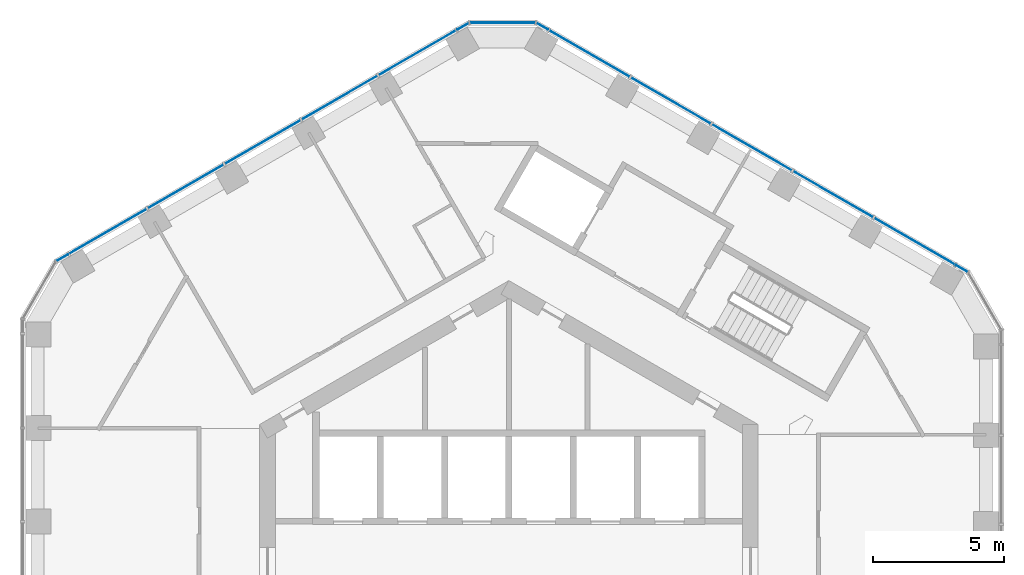
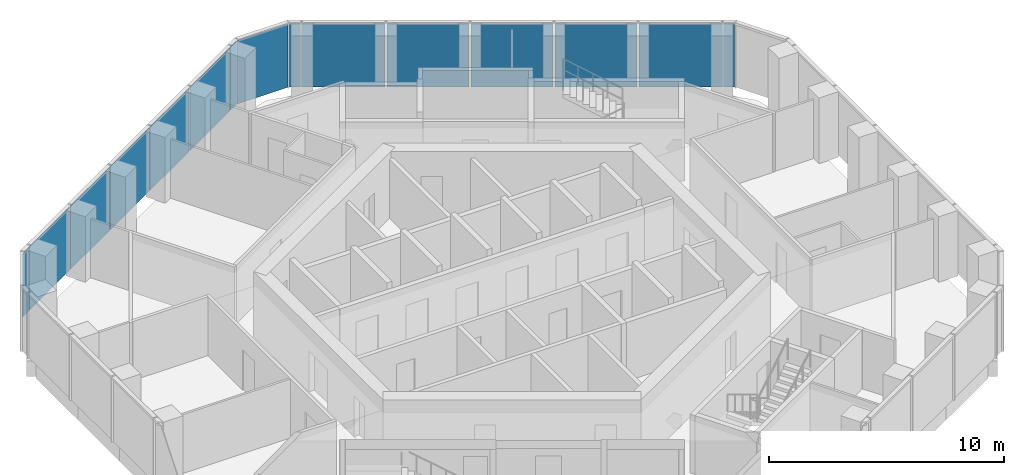
# One storey, part 13 of 18: 15 plates, 5 elements without a shape of their own.
"""IFC4 building model written with IfcOpenShell, lengths in metres."""

import ifcopenshell
import ifcopenshell.guid

model = None  # the IFC model being written
_history = None  # IfcOwnerHistory: only IFC2X3 demands one
_inside = {}  # id of a spatial element -> (the spatial element, [elements in it])
_under = {}  # id of a project, library or spatial element -> (it, [spatial elements below it])
_declared = {}  # id of a project -> (the project, [libraries it declares])
_typed = {}  # id of a type object -> (the type object, [elements of that type])
_made_of = {}  # id of a material, layer set ... -> (it, [elements and type objects made of it])


def new_model(schema):
    """Start an empty IFC model of exactly this schema.

    Asked for "IFC4X3", IfcOpenShell would pick the latest addendum, in which some entities
    have other attributes; the version numbers below select the first issue.
    IFC2X3 requires an IfcOwnerHistory on every rooted entity: one is made here for all.
    """
    global model, _history
    if schema == "IFC4X3":
        model = ifcopenshell.file(schema_version=(4, 3, 0, 0))
    else:
        model = ifcopenshell.file(schema=schema)
    _inside.clear()
    _under.clear()
    _declared.clear()
    _typed.clear()
    _made_of.clear()
    _history = None
    if model.schema == "IFC2X3":
        org = make("IfcOrganization", Name="unknown")
        user = make(
            "IfcPersonAndOrganization",
            ThePerson=make("IfcPerson", FamilyName="unknown"),
            TheOrganization=org,
        )
        app = make(
            "IfcApplication",
            ApplicationDeveloper=org,
            Version="unknown",
            ApplicationFullName="unknown",
            ApplicationIdentifier="unknown",
        )
        _history = make(
            "IfcOwnerHistory",
            OwningUser=user,
            OwningApplication=app,
            ChangeAction="ADDED",
            CreationDate=0,
        )
    return model


def make(cls, **values):
    """One entity of the class cls with the attributes given. An attribute that is None is left unset."""
    return model.create_entity(
        cls, **{name: value for name, value in values.items() if value is not None}
    )


def rooted(cls, **values):
    """An entity with a GlobalId (a new one), such as an element, a storey or a relation."""
    return make(cls, GlobalId=ifcopenshell.guid.new(), OwnerHistory=_history, **values)


def si_unit(unit_type, name, prefix=None):
    """IfcSIUnit, for example si_unit("LENGTHUNIT", "METRE", prefix="MILLI")."""
    return make("IfcSIUnit", UnitType=unit_type, Prefix=prefix, Name=name)


def assignment(units):
    """IfcUnitAssignment: the units of a project."""
    return None if units is None else make("IfcUnitAssignment", Units=units)


def point(xyz):
    """IfcCartesianPoint."""
    return None if xyz is None else make("IfcCartesianPoint", Coordinates=xyz)


def direction(xyz):
    """IfcDirection."""
    return None if xyz is None else make("IfcDirection", DirectionRatios=xyz)


def frame(location, z_axis=None, x_axis=None):
    """IfcAxis2Placement3D, a coordinate frame: its origin and axes. An axis left out is left unset."""
    return make(
        "IfcAxis2Placement3D",
        Location=point(location),
        Axis=direction(z_axis),
        RefDirection=direction(x_axis),
    )


def frame_2d(location, x_axis=None):
    """IfcAxis2Placement2D, a coordinate frame in the plane: its origin and x axis."""
    return make(
        "IfcAxis2Placement2D", Location=point(location), RefDirection=direction(x_axis)
    )


def origin():
    """The frame at (0, 0, 0) with its axes left unset."""
    return frame((0.0, 0.0, 0.0))


def origin_2d():
    """The frame at (0, 0) in the plane with its x axis left unset."""
    return frame_2d((0.0, 0.0))


def place(relative_to, where):
    """IfcLocalPlacement: puts the frame where relative to a parent placement (None: the world)."""
    return make(
        "IfcLocalPlacement", PlacementRelTo=relative_to, RelativePlacement=where
    )


def context(
    kind, dimensions, precision=None, world=None, true_north=None, identifier=None
):
    """IfcGeometricRepresentationContext, for example the 3D "Model" context."""
    return make(
        "IfcGeometricRepresentationContext",
        ContextIdentifier=identifier,
        ContextType=kind,
        CoordinateSpaceDimension=dimensions,
        Precision=precision,
        WorldCoordinateSystem=world,
        TrueNorth=true_north,
    )


def subcontext(parent, identifier, kind, view, scale=None):
    """IfcGeometricRepresentationSubContext, for example "Body" below "Model"."""
    return make(
        "IfcGeometricRepresentationSubContext",
        ContextIdentifier=identifier,
        ContextType=kind,
        ParentContext=parent,
        TargetScale=scale,
        TargetView=view,
    )


def project(units=None, contexts=None):
    """IfcProject with its units and contexts."""
    return rooted(
        "IfcProject",
        Name="project",
        RepresentationContexts=contexts,
        UnitsInContext=assignment(units),
    )


def spatial(cls, under=None, at=None, **own):
    """A site, building, storey or space (cls), placed at a placement, below another one or the project."""
    s = rooted(cls, ObjectPlacement=at, **own)
    if under is not None:
        _under.setdefault(under.id(), (under, []))[1].append(s)
    return s


def profile(cls, at=None, kind="AREA", **sizes):
    """A parametric profile (cls). Its sizes go by their IFC names, for example OverallWidth=200.0."""
    return make(cls, ProfileType=kind, Position=at, **sizes)


def rectangle(**sizes):
    """IfcRectangleProfileDef."""
    return profile("IfcRectangleProfileDef", **sizes)


def extrude(swept, where, along, depth):
    """IfcExtrudedAreaSolid: the profile swept, set in the frame where, extruded along a direction by depth."""
    return make(
        "IfcExtrudedAreaSolid",
        SweptArea=swept,
        Position=where,
        ExtrudedDirection=direction(along),
        Depth=depth,
    )


def shape(context_of_items, identifier, shape_type, items):
    """IfcShapeRepresentation: the items that make up one representation, for example the "Body"."""
    return make(
        "IfcShapeRepresentation",
        ContextOfItems=context_of_items,
        RepresentationIdentifier=identifier,
        RepresentationType=shape_type,
        Items=items,
    )


def material(Name=None, Category=None):
    """IfcMaterial."""
    return make("IfcMaterial", Name=Name, Category=Category)


def layer(
    of_material, thickness, ventilated=None, Name=None, Category=None, Priority=None
):
    """IfcMaterialLayer: one layer of a wall or slab, of a material (None: an air gap)."""
    return make(
        "IfcMaterialLayer",
        Material=of_material,
        LayerThickness=thickness,
        IsVentilated=ventilated,
        Name=Name,
        Category=Category,
        Priority=Priority,
    )


def layer_set(layers, Name=None):
    """IfcMaterialLayerSet."""
    return make("IfcMaterialLayerSet", MaterialLayers=layers, LayerSetName=Name)


def made_of(thing, what):
    """Note that an element or type object is made of a material, layer set ...; save() writes the relation."""
    if what is not None:
        _made_of.setdefault(what.id(), (what, []))[1].append(thing)
    return thing


def type_object(cls, material=None, **own):
    """A type object (cls), such as IfcWallType, which elements share."""
    return made_of(rooted(cls, **own), material)


def element(
    cls,
    number,
    at=None,
    inside=None,
    cuts=None,
    type_object=None,
    material=None,
    context=None,
    identifier="Body",
    shape_type=None,
    held_by="IfcProductDefinitionShape",
    body=None,
    shapes=None,
    **own,
):
    """One element of the class cls, such as IfcWall. Its Tag is "e" and its number.

    at: its placement. inside: the storey or other place that contains it. cuts: it is an
    opening in that element (IfcRelVoidsElement). A single representation is given by context,
    identifier, shape_type and body (its items); several are given by shapes. held_by: the class
    of the entity that holds the representations. save() writes the other relations.
    """
    e = rooted(cls, Tag="e%d" % number, ObjectPlacement=at, **own)
    if body is not None:
        shapes = [shape(context, identifier, shape_type, body)]
    if shapes is not None:
        e.Representation = make(held_by, Representations=shapes)
    if inside is not None:
        _inside.setdefault(inside.id(), (inside, []))[1].append(e)
    if cuts is not None:
        rooted(
            "IfcRelVoidsElement", RelatingBuildingElement=cuts, RelatedOpeningElement=e
        )
    if type_object is not None:
        _typed.setdefault(type_object.id(), (type_object, []))[1].append(e)
    return made_of(e, material)


def aggregate(whole, parts):
    """IfcRelAggregates: a whole, such as a stair, and the parts it consists of."""
    return rooted("IfcRelAggregates", RelatingObject=whole, RelatedObjects=parts)


def save(model, path):
    """Write the relations noted so far, then the file.

    IfcRelAggregates (storeys below a building ...), IfcRelContainedInSpatialStructure (elements
    in a storey), IfcRelDefinesByType, IfcRelAssociatesMaterial and IfcRelDeclares: one each for
    every whole, place, type object, material and project.
    """
    for whole, parts in _under.values():
        aggregate(whole, parts)
    for where, things in _inside.values():
        rooted(
            "IfcRelContainedInSpatialStructure",
            RelatedElements=things,
            RelatingStructure=where,
        )
    for kind, things in _typed.values():
        rooted("IfcRelDefinesByType", RelatedObjects=things, RelatingType=kind)
    for what, things in _made_of.values():
        rooted("IfcRelAssociatesMaterial", RelatedObjects=things, RelatingMaterial=what)
    for by, libraries in _declared.values():
        rooted("IfcRelDeclares", RelatingContext=by, RelatedDefinitions=libraries)
    model.write(path)


model = new_model("IFC4")

# Units and contexts
model_context = context("Model", 3, precision=1e-05, world=origin(), true_north=direction((0.0, 1.0)))
body_context = subcontext(model_context, "Body", "Model", "MODEL_VIEW")
ifc_project = project(units=[si_unit("LENGTHUNIT", "METRE"), si_unit("AREAUNIT", "SQUARE_METRE"), si_unit("VOLUMEUNIT", "CUBIC_METRE"), si_unit("PLANEANGLEUNIT", "RADIAN"), si_unit("MASSUNIT", "GRAM", prefix="KILO")], contexts=[model_context])

# Site, building, storey
site_placement = place(None, origin())
site = spatial("IfcSite", under=ifc_project, at=site_placement, CompositionType="ELEMENT")
building_placement = place(site_placement, origin())
building = spatial("IfcBuilding", under=site, at=building_placement, Name="Ayvan Gate Tower", CompositionType="ELEMENT")
storey_placement = place(building_placement, frame((0.0, 0.0, 166.300048828125)))
storey = spatial("IfcBuildingStorey", under=building, at=storey_placement, Name="L44", CompositionType="ELEMENT", Elevation=166.300048828125)

# Curtain wall, plates
ifc_material_1 = material(Name="Bronze anodised aluminium", Category="aluminium")
ifc_layer_1 = layer(ifc_material_1, 0.199951171875)
ifc_layer_set_1 = layer_set([ifc_layer_1], Name="Bronze anodised aluminium")
curtain_wall_type_1 = type_object("IfcCurtainWallType", Name="Stick curtain wall CW-2", PredefinedType="NOTDEFINED", material=ifc_layer_set_1)
curtain_wall_1_placement = place(storey_placement, origin())
curtain_wall_1 = element("IfcCurtainWall", 1, at=curtain_wall_1_placement, inside=storey, type_object=curtain_wall_type_1, Name="Stick curtain wall CW-2 L44", PredefinedType="NOTDEFINED")
ifc_material_2 = material(Name="Clear low-iron laminated glass", Category="glass")
ifc_layer_2 = layer(ifc_material_2, 0.028076171875)
ifc_layer_set_2 = layer_set([ifc_layer_2], Name="Clear low-iron laminated glass")
plate_type_1 = type_object("IfcPlateType", Name="Stick curtain wall CW-2 glass panel", PredefinedType="CURTAIN_PANEL", material=ifc_layer_set_2)
plate_1_placement = place(storey_placement, frame((-3.47216796875, 19.6591796875, 0.0), z_axis=(0.0, 0.0, 1.0), x_axis=(-0.866025403784, -0.5, 0.0)))
plate_1 = element("IfcPlate", 2, at=plate_1_placement, type_object=plate_type_1, Name="CW-2 glass panel 1", PredefinedType="CURTAIN_PANEL", context=body_context, shape_type="SweptSolid", body=[
    extrude(rectangle(XDim=3.424072265625, YDim=0.028076171875, at=origin_2d()), origin(), (0.0, 0.0, 1.0), 3.280029296875),
])
plate_2_placement = place(storey_placement, frame((-6.450439453125, 17.939697265625, 0.0), z_axis=(0.0, 0.0, 1.0), x_axis=(-0.866025403784, -0.5, 0.0)))
plate_2 = element("IfcPlate", 3, at=plate_2_placement, type_object=plate_type_1, Name="CW-2 glass panel 2", PredefinedType="CURTAIN_PANEL", context=body_context, shape_type="SweptSolid", body=[
    extrude(rectangle(XDim=3.31396484375, YDim=0.028076171875, at=origin_2d()), origin(), (0.0, 0.0, 1.0), 3.280029296875),
])
plate_3_placement = place(storey_placement, frame((-9.380615234375, 16.248046875, 0.0), z_axis=(0.0, 0.0, 1.0), x_axis=(-0.866025403784, -0.5, 0.0)))
plate_3 = element("IfcPlate", 4, at=plate_3_placement, type_object=plate_type_1, Name="CW-2 glass panel 3", PredefinedType="CURTAIN_PANEL", context=body_context, shape_type="SweptSolid", body=[
    extrude(rectangle(XDim=3.31298828125, YDim=0.028076171875, at=origin_2d()), origin(), (0.0, 0.0, 1.0), 3.280029296875),
])
plate_4_placement = place(storey_placement, frame((-12.31103515625, 14.55615234375, 0.0), z_axis=(0.0, 0.0, 1.0), x_axis=(-0.866025403784, -0.5, 0.0)))
plate_4 = element("IfcPlate", 5, at=plate_4_placement, type_object=plate_type_1, Name="CW-2 glass panel 4", PredefinedType="CURTAIN_PANEL", context=body_context, shape_type="SweptSolid", body=[
    extrude(rectangle(XDim=3.31396484375, YDim=0.028076171875, at=origin_2d()), origin(), (0.0, 0.0, 1.0), 3.280029296875),
])
plate_5_placement = place(storey_placement, frame((-15.289306640625, 12.836669921875, 0.0), z_axis=(0.0, 0.0, 1.0), x_axis=(-0.866025403784, -0.5, 0.0)))
plate_5 = element("IfcPlate", 6, at=plate_5_placement, type_object=plate_type_1, Name="CW-2 glass panel 5", PredefinedType="CURTAIN_PANEL", context=body_context, shape_type="SweptSolid", body=[
    extrude(rectangle(XDim=3.424072265625, YDim=0.028076171875, at=origin_2d()), origin(), (0.0, 0.0, 1.0), 3.280029296875),
])
aggregate(curtain_wall_1, [plate_1, plate_2, plate_3, plate_4, plate_5])

curtain_wall_2_placement = place(storey_placement, origin())
curtain_wall_2 = element("IfcCurtainWall", 7, at=curtain_wall_2_placement, inside=storey, type_object=curtain_wall_type_1, Name="Stick curtain wall CW-2 L44", PredefinedType="NOTDEFINED")
plate_6_placement = place(storey_placement, frame((15.468994140625, 12.458740234375, 0.0), z_axis=(0.0, 0.0, 1.0), x_axis=(-0.866025403784, 0.5, 0.0)))
plate_6 = element("IfcPlate", 8, at=plate_6_placement, type_object=plate_type_1, Name="CW-2 glass panel 1", PredefinedType="CURTAIN_PANEL", context=body_context, shape_type="SweptSolid", body=[
    extrude(rectangle(XDim=3.556884765625, YDim=0.028076171875, at=origin_2d()), origin(), (0.0, 0.0, 1.0), 3.280029296875),
])
plate_7_placement = place(storey_placement, frame((12.35302734375, 14.2578125, 0.0), z_axis=(0.0, 0.0, 1.0), x_axis=(-0.866025403784, 0.5, 0.0)))
plate_7 = element("IfcPlate", 9, at=plate_7_placement, type_object=plate_type_1, Name="CW-2 glass panel 2", PredefinedType="CURTAIN_PANEL", context=body_context, shape_type="SweptSolid", body=[
    extrude(rectangle(XDim=3.4990234375, YDim=0.028076171875, at=origin_2d()), origin(), (0.0, 0.0, 1.0), 3.280029296875),
])
plate_8_placement = place(storey_placement, frame((9.26220703125, 16.042236328125, 0.0), z_axis=(0.0, 0.0, 1.0), x_axis=(-0.866025403784, 0.5, 0.0)))
plate_8 = element("IfcPlate", 10, at=plate_8_placement, type_object=plate_type_1, Name="CW-2 glass panel 3", PredefinedType="CURTAIN_PANEL", context=body_context, shape_type="SweptSolid", body=[
    extrude(rectangle(XDim=3.4990234375, YDim=0.028076171875, at=origin_2d()), origin(), (0.0, 0.0, 1.0), 3.280029296875),
])
plate_9_placement = place(storey_placement, frame((6.17138671875, 17.82666015625, 0.0), z_axis=(0.0, 0.0, 1.0), x_axis=(-0.866025403784, 0.5, 0.0)))
plate_9 = element("IfcPlate", 11, at=plate_9_placement, type_object=plate_type_1, Name="CW-2 glass panel 4", PredefinedType="CURTAIN_PANEL", context=body_context, shape_type="SweptSolid", body=[
    extrude(rectangle(XDim=3.4990234375, YDim=0.028076171875, at=origin_2d()), origin(), (0.0, 0.0, 1.0), 3.280029296875),
])
plate_10_placement = place(storey_placement, frame((3.05517578125, 19.6259765625, 0.0), z_axis=(0.0, 0.0, 1.0), x_axis=(-0.866025403784, 0.5, 0.0)))
plate_10 = element("IfcPlate", 12, at=plate_10_placement, type_object=plate_type_1, Name="CW-2 glass panel 5", PredefinedType="CURTAIN_PANEL", context=body_context, shape_type="SweptSolid", body=[
    extrude(rectangle(XDim=3.557373046875, YDim=0.028076171875, at=origin_2d()), origin(), (0.0, 0.0, 1.0), 3.280029296875),
])
aggregate(curtain_wall_2, [plate_6, plate_7, plate_8, plate_9, plate_10])

# Curtain wall, plate
ifc_layer_3 = layer(ifc_material_1, 0.199951171875)
ifc_layer_set_3 = layer_set([ifc_layer_3], Name="Bronze anodised aluminium")
curtain_wall_type_2 = type_object("IfcCurtainWallType", Name="Stick curtain wall CW-6", PredefinedType="NOTDEFINED", material=ifc_layer_set_3)
curtain_wall_3_placement = place(storey_placement, origin())
curtain_wall_3 = element("IfcCurtainWall", 13, at=curtain_wall_3_placement, inside=storey, type_object=curtain_wall_type_2, Name="Stick curtain wall CW-6 L44", PredefinedType="NOTDEFINED")
ifc_layer_4 = layer(ifc_material_2, 0.028076171875)
ifc_layer_set_4 = layer_set([ifc_layer_4], Name="Clear low-iron laminated glass")
plate_type_2 = type_object("IfcPlateType", Name="Stick curtain wall CW-6 glass panel", PredefinedType="CURTAIN_PANEL", material=ifc_layer_set_4)
plate_11_placement = place(storey_placement, frame((-17.018798828125, 11.838134765625, 0.0), z_axis=(0.0, 0.0, 1.0), x_axis=(-0.866025403784, -0.5, 0.0)))
plate_11 = element("IfcPlate", 14, at=plate_11_placement, type_object=plate_type_2, Name="CW-6 glass panel 1", PredefinedType="CURTAIN_PANEL", context=body_context, shape_type="SweptSolid", body=[
    extrude(rectangle(XDim=0.5, YDim=0.028076171875, at=origin_2d()), origin(), (0.0, 0.0, 1.0), 3.280029296875),
])
aggregate(curtain_wall_3, [plate_11])

curtain_wall_4_placement = place(storey_placement, origin())
curtain_wall_4 = element("IfcCurtainWall", 15, at=curtain_wall_4_placement, inside=storey, type_object=curtain_wall_type_2, Name="Stick curtain wall CW-6 L44", PredefinedType="NOTDEFINED")
plate_12_placement = place(storey_placement, frame((17.256103515625, 11.427001953125, 0.0), z_axis=(0.0, 0.0, 1.0), x_axis=(-0.866025403784, 0.5, 0.0)))
plate_12 = element("IfcPlate", 16, at=plate_12_placement, type_object=plate_type_2, Name="CW-6 glass panel 3", PredefinedType="CURTAIN_PANEL", context=body_context, shape_type="SweptSolid", body=[
    extrude(rectangle(XDim=0.5, YDim=0.028076171875, at=origin_2d()), origin(), (0.0, 0.0, 1.0), 3.280029296875),
])
aggregate(curtain_wall_4, [plate_12])

# Curtain wall, plates
curtain_wall_5_placement = place(storey_placement, origin())
curtain_wall_5 = element("IfcCurtainWall", 17, at=curtain_wall_5_placement, inside=storey, type_object=curtain_wall_type_2, Name="Stick curtain wall CW-6 L44", PredefinedType="NOTDEFINED")
plate_13_placement = place(storey_placement, frame((1.26806640625, 20.65771484375, 0.0), z_axis=(0.0, 0.0, 1.0), x_axis=(-0.866025403784, 0.5, 0.0)))
plate_13 = element("IfcPlate", 18, at=plate_13_placement, type_object=plate_type_2, Name="CW-6 glass panel 1", PredefinedType="CURTAIN_PANEL", context=body_context, shape_type="SweptSolid", body=[
    extrude(rectangle(XDim=0.5, YDim=0.028076171875, at=origin_2d()), origin(), (0.0, 0.0, 1.0), 3.280029296875),
])
plate_14_placement = place(storey_placement, frame((-0.2373046875, 20.795166015625, 0.0), z_axis=(0.0, 0.0, 1.0), x_axis=(-1.0, 0.0, 0.0)))
plate_14 = element("IfcPlate", 19, at=plate_14_placement, type_object=plate_type_2, Name="CW-6 glass panel 2", PredefinedType="CURTAIN_PANEL", context=body_context, shape_type="SweptSolid", body=[
    extrude(rectangle(XDim=2.484619140625, YDim=0.028076171875, at=origin_2d()), origin(), (0.0, 0.0, 1.0), 3.280029296875),
])
plate_15_placement = place(storey_placement, frame((-1.742919921875, 20.65771484375, 0.0), z_axis=(0.0, 0.0, 1.0), x_axis=(-0.866025403784, -0.5, 0.0)))
plate_15 = element("IfcPlate", 20, at=plate_15_placement, type_object=plate_type_2, Name="CW-6 glass panel 3", PredefinedType="CURTAIN_PANEL", context=body_context, shape_type="SweptSolid", body=[
    extrude(rectangle(XDim=0.5, YDim=0.028076171875, at=origin_2d()), origin(), (0.0, 0.0, 1.0), 3.280029296875),
])
aggregate(curtain_wall_5, [plate_13, plate_14, plate_15])

save(model, "model.ifc")
